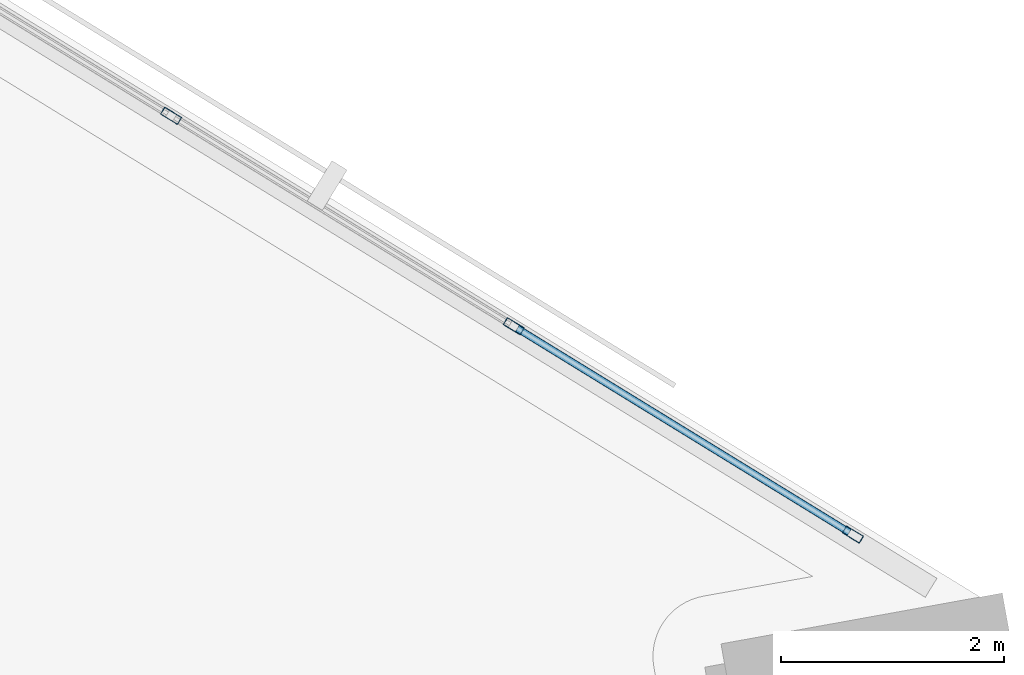
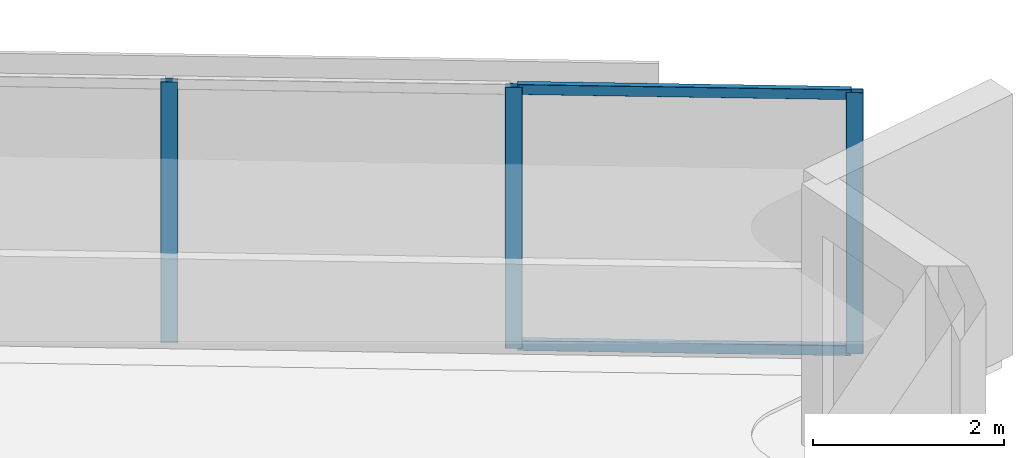
# One storey, part 4 of 18: 5 members, 1 element without a shape of its own.
"""IFC4 building model written with IfcOpenShell, lengths in metres."""

from ifc_helpers import new_model, si_unit, direction, frame, origin, origin_2d, place, context, subcontext, project, spatial, hollow_rectangle, extrude, material, material_profile, profile_set, type_object, element, aggregate, save


model = new_model("IFC4")

# Units and contexts
model_context = context("Model", 3, precision=1e-05, world=origin(), true_north=direction((0.0, 1.0)))
body_context = subcontext(model_context, "Body", "Model", "MODEL_VIEW")
ifc_project = project(units=[si_unit("LENGTHUNIT", "METRE"), si_unit("AREAUNIT", "SQUARE_METRE"), si_unit("VOLUMEUNIT", "CUBIC_METRE"), si_unit("PLANEANGLEUNIT", "RADIAN"), si_unit("MASSUNIT", "GRAM", prefix="KILO")], contexts=[model_context])

# Site, building, storey
site_placement = place(None, origin())
site = spatial("IfcSite", under=ifc_project, at=site_placement, CompositionType="ELEMENT")
building_placement = place(site_placement, origin())
building = spatial("IfcBuilding", under=site, at=building_placement, Name="Narakoshi Arena Tower", CompositionType="ELEMENT")
storey_placement = place(building_placement, frame((0.0, 0.0, 99.300048828125)))
storey = spatial("IfcBuildingStorey", under=building, at=storey_placement, Name="L26", CompositionType="ELEMENT", Elevation=99.300048828125)

# Curtain wall, members
ifc_material = material(Name="Anodised bronze aluminium 6063-T6", Category="aluminium")
curtain_wall_type = type_object("IfcCurtainWallType", Name="CW-HYP-LOW", PredefinedType="NOTDEFINED", material=ifc_material)
curtain_wall_placement = place(storey_placement, origin())
curtain_wall = element("IfcCurtainWall", 1, at=curtain_wall_placement, inside=storey, type_object=curtain_wall_type, Name="L26 Folded Hypotenuse Curtain Wall 1-1", PredefinedType="NOTDEFINED")
ifc_material_profile_1 = material_profile(ifc_material, hollow_rectangle(XDim=0.074951171875, YDim=0.179931640625, WallThickness=0.00390625, OuterFilletRadius=0.0048828125, at=origin_2d()), Name="MUL180x75x4")
ifc_profile_set_1 = profile_set([ifc_material_profile_1], Name="Anodised bronze aluminium 6063-T6")
member_type_1 = type_object("IfcMemberType", Name="MEM-MUL-180", PredefinedType="MULLION", material=ifc_profile_set_1)
member_1_placement = place(storey_placement, frame((119.16259765625, 43.548583984375, 0.0), z_axis=(0.0, 0.0, 1.0), x_axis=(-0.523357676535, -0.852113104237, 0.0)))
member_1 = element("IfcMember", 2, at=member_1_placement, type_object=member_type_1, Name="CW-01 mullion 1", PredefinedType="MULLION", context=body_context, shape_type="SweptSolid", body=[
    extrude(hollow_rectangle(XDim=0.074951171875, YDim=0.179931640625, WallThickness=0.00390625, OuterFilletRadius=0.0048828125, at=origin_2d()), origin(), (0.0, 0.0, 1.0), 3.33984375),
])
member_2_placement = place(storey_placement, frame((116.11767578125, 45.418701171875, 0.0), z_axis=(0.0, 0.0, 1.0), x_axis=(-0.523357676535, -0.852113104237, 0.0)))
member_2 = element("IfcMember", 3, at=member_2_placement, type_object=member_type_1, Name="CW-01 mullion 2", PredefinedType="MULLION", context=body_context, shape_type="SweptSolid", body=[
    extrude(hollow_rectangle(XDim=0.074951171875, YDim=0.179931640625, WallThickness=0.00390625, OuterFilletRadius=0.0048828125, at=origin_2d()), origin(), (0.0, 0.0, 1.0), 3.33984375),
])
member_3_placement = place(storey_placement, frame((113.040771484375, 47.30859375, 0.0), z_axis=(0.0, 0.0, 1.0), x_axis=(-0.523357676535, -0.852113104237, 0.0)))
member_3 = element("IfcMember", 4, at=member_3_placement, type_object=member_type_1, Name="CW-01 mullion 3", PredefinedType="MULLION", context=body_context, shape_type="SweptSolid", body=[
    extrude(hollow_rectangle(XDim=0.074951171875, YDim=0.179931640625, WallThickness=0.00390625, OuterFilletRadius=0.0048828125, at=origin_2d()), origin(), (0.0, 0.0, 1.0), 3.33984375),
])
ifc_material_profile_2 = material_profile(ifc_material, hollow_rectangle(XDim=0.06494140625, YDim=0.1298828125, WallThickness=0.00390625, OuterFilletRadius=0.0048828125, at=origin_2d()), Name="TRN130x65x4")
ifc_profile_set_2 = profile_set([ifc_material_profile_2], Name="Anodised bronze aluminium 6063-T6")
member_type_2 = type_object("IfcMemberType", Name="MEM-TRN-130", PredefinedType="USERDEFINED", material=ifc_profile_set_2)
member_4_placement = place(storey_placement, frame((119.130615234375, 43.568359375, 0.032470703125), z_axis=(-0.852120447829, 0.52334571976, 0.0), x_axis=(-0.52334571976, -0.852120447829, 0.0)))
member_4 = element("IfcMember", 5, at=member_4_placement, type_object=member_type_2, Name="CW-01 transom 1.1", ObjectType="TRANSOM", PredefinedType="USERDEFINED", context=body_context, shape_type="SweptSolid", body=[
    extrude(hollow_rectangle(XDim=0.06494140625, YDim=0.1298828125, WallThickness=0.00390625, OuterFilletRadius=0.0048828125, at=origin_2d()), origin(), (0.0, 0.0, 1.0), 3.498291015625),
])
member_5_placement = place(storey_placement, frame((119.130615234375, 43.568359375, 3.307373046875), z_axis=(-0.852120447829, 0.52334571976, 0.0), x_axis=(-0.52334571976, -0.852120447829, 0.0)))
member_5 = element("IfcMember", 6, at=member_5_placement, type_object=member_type_2, Name="CW-01 transom 1.2", ObjectType="TRANSOM", PredefinedType="USERDEFINED", context=body_context, shape_type="SweptSolid", body=[
    extrude(hollow_rectangle(XDim=0.06494140625, YDim=0.1298828125, WallThickness=0.00390625, OuterFilletRadius=0.0048828125, at=origin_2d()), origin(), (0.0, 0.0, 1.0), 3.498291015625),
])
aggregate(curtain_wall, [member_1, member_2, member_3, member_4, member_5])

save(model, "model.ifc")
